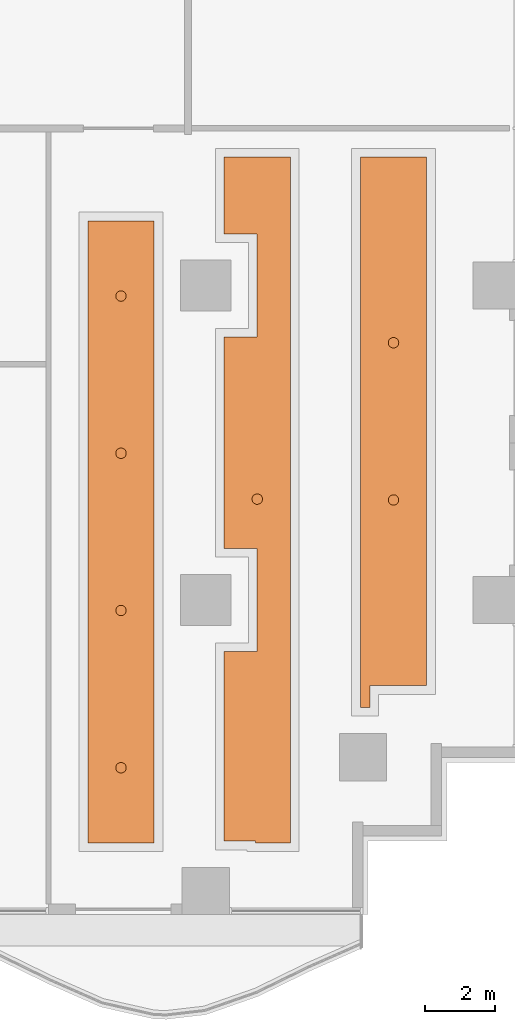
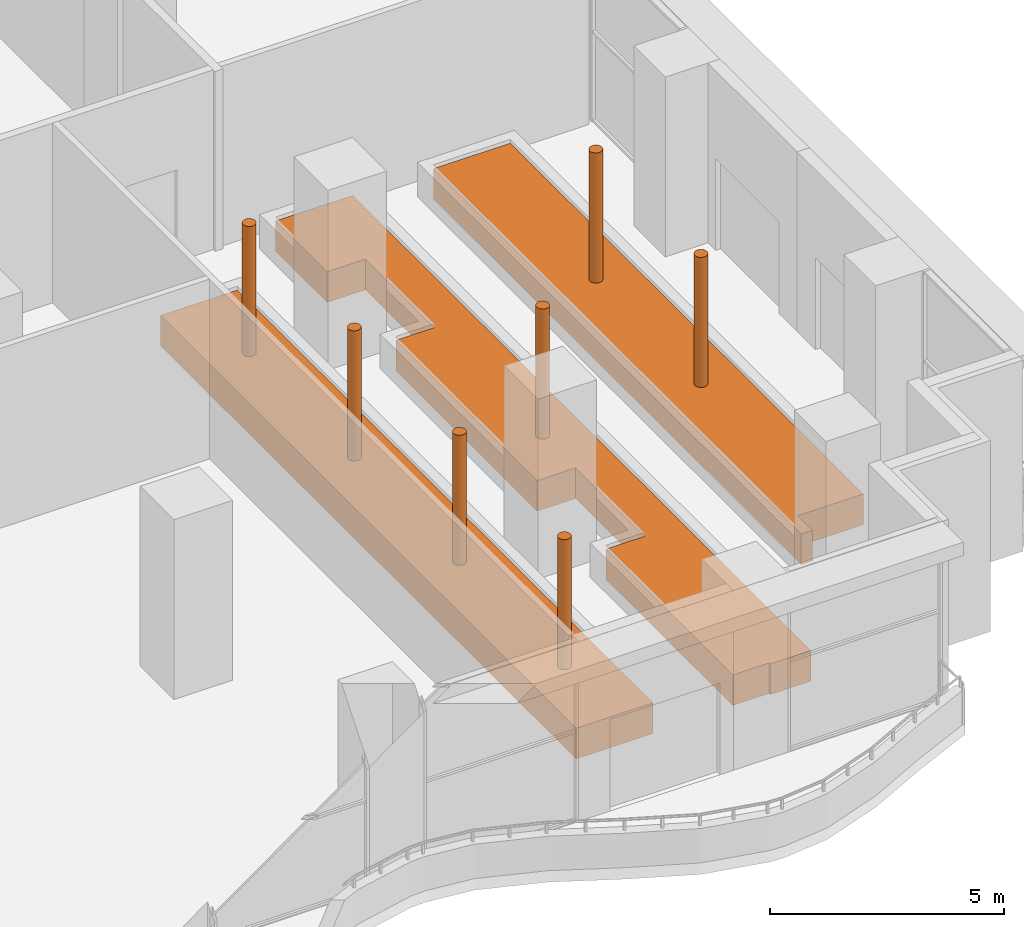
# One storey, part 18 of 18: 7 geographic elements, 3 proxies.
"""IFC4 building model written with IfcOpenShell, lengths in metres."""

import ifcopenshell
import ifcopenshell.guid

model = None  # the IFC model being written
_history = None  # IfcOwnerHistory: only IFC2X3 demands one
_inside = {}  # id of a spatial element -> (the spatial element, [elements in it])
_under = {}  # id of a project, library or spatial element -> (it, [spatial elements below it])
_declared = {}  # id of a project -> (the project, [libraries it declares])
_typed = {}  # id of a type object -> (the type object, [elements of that type])
_made_of = {}  # id of a material, layer set ... -> (it, [elements and type objects made of it])


def new_model(schema):
    """Start an empty IFC model of exactly this schema.

    Asked for "IFC4X3", IfcOpenShell would pick the latest addendum, in which some entities
    have other attributes; the version numbers below select the first issue.
    IFC2X3 requires an IfcOwnerHistory on every rooted entity: one is made here for all.
    """
    global model, _history
    if schema == "IFC4X3":
        model = ifcopenshell.file(schema_version=(4, 3, 0, 0))
    else:
        model = ifcopenshell.file(schema=schema)
    _inside.clear()
    _under.clear()
    _declared.clear()
    _typed.clear()
    _made_of.clear()
    _history = None
    if model.schema == "IFC2X3":
        org = make("IfcOrganization", Name="unknown")
        user = make(
            "IfcPersonAndOrganization",
            ThePerson=make("IfcPerson", FamilyName="unknown"),
            TheOrganization=org,
        )
        app = make(
            "IfcApplication",
            ApplicationDeveloper=org,
            Version="unknown",
            ApplicationFullName="unknown",
            ApplicationIdentifier="unknown",
        )
        _history = make(
            "IfcOwnerHistory",
            OwningUser=user,
            OwningApplication=app,
            ChangeAction="ADDED",
            CreationDate=0,
        )
    return model


def make(cls, **values):
    """One entity of the class cls with the attributes given. An attribute that is None is left unset."""
    return model.create_entity(
        cls, **{name: value for name, value in values.items() if value is not None}
    )


def rooted(cls, **values):
    """An entity with a GlobalId (a new one), such as an element, a storey or a relation."""
    return make(cls, GlobalId=ifcopenshell.guid.new(), OwnerHistory=_history, **values)


def si_unit(unit_type, name, prefix=None):
    """IfcSIUnit, for example si_unit("LENGTHUNIT", "METRE", prefix="MILLI")."""
    return make("IfcSIUnit", UnitType=unit_type, Prefix=prefix, Name=name)


def assignment(units):
    """IfcUnitAssignment: the units of a project."""
    return None if units is None else make("IfcUnitAssignment", Units=units)


def point(xyz):
    """IfcCartesianPoint."""
    return None if xyz is None else make("IfcCartesianPoint", Coordinates=xyz)


def direction(xyz):
    """IfcDirection."""
    return None if xyz is None else make("IfcDirection", DirectionRatios=xyz)


def frame(location, z_axis=None, x_axis=None):
    """IfcAxis2Placement3D, a coordinate frame: its origin and axes. An axis left out is left unset."""
    return make(
        "IfcAxis2Placement3D",
        Location=point(location),
        Axis=direction(z_axis),
        RefDirection=direction(x_axis),
    )


def frame_2d(location, x_axis=None):
    """IfcAxis2Placement2D, a coordinate frame in the plane: its origin and x axis."""
    return make(
        "IfcAxis2Placement2D", Location=point(location), RefDirection=direction(x_axis)
    )


def origin():
    """The frame at (0, 0, 0) with its axes left unset."""
    return frame((0.0, 0.0, 0.0))


def origin_2d():
    """The frame at (0, 0) in the plane with its x axis left unset."""
    return frame_2d((0.0, 0.0))


def place(relative_to, where):
    """IfcLocalPlacement: puts the frame where relative to a parent placement (None: the world)."""
    return make(
        "IfcLocalPlacement", PlacementRelTo=relative_to, RelativePlacement=where
    )


def context(
    kind, dimensions, precision=None, world=None, true_north=None, identifier=None
):
    """IfcGeometricRepresentationContext, for example the 3D "Model" context."""
    return make(
        "IfcGeometricRepresentationContext",
        ContextIdentifier=identifier,
        ContextType=kind,
        CoordinateSpaceDimension=dimensions,
        Precision=precision,
        WorldCoordinateSystem=world,
        TrueNorth=true_north,
    )


def subcontext(parent, identifier, kind, view, scale=None):
    """IfcGeometricRepresentationSubContext, for example "Body" below "Model"."""
    return make(
        "IfcGeometricRepresentationSubContext",
        ContextIdentifier=identifier,
        ContextType=kind,
        ParentContext=parent,
        TargetScale=scale,
        TargetView=view,
    )


def project(units=None, contexts=None):
    """IfcProject with its units and contexts."""
    return rooted(
        "IfcProject",
        Name="project",
        RepresentationContexts=contexts,
        UnitsInContext=assignment(units),
    )


def spatial(cls, under=None, at=None, **own):
    """A site, building, storey or space (cls), placed at a placement, below another one or the project."""
    s = rooted(cls, ObjectPlacement=at, **own)
    if under is not None:
        _under.setdefault(under.id(), (under, []))[1].append(s)
    return s


def polyline(points):
    """IfcPolyline through the points."""
    return make("IfcPolyline", Points=[point(p) for p in points])


def profile(cls, at=None, kind="AREA", **sizes):
    """A parametric profile (cls). Its sizes go by their IFC names, for example OverallWidth=200.0."""
    return make(cls, ProfileType=kind, Position=at, **sizes)


def circle(**sizes):
    """IfcCircleProfileDef."""
    return profile("IfcCircleProfileDef", **sizes)


def outline(outer, holes=None, kind="AREA"):
    """IfcArbitraryClosedProfileDef: a profile drawn as a closed curve; with holes, ...WithVoids."""
    if holes is None:
        return make("IfcArbitraryClosedProfileDef", ProfileType=kind, OuterCurve=outer)
    return make(
        "IfcArbitraryProfileDefWithVoids",
        ProfileType=kind,
        OuterCurve=outer,
        InnerCurves=holes,
    )


def extrude(swept, where, along, depth):
    """IfcExtrudedAreaSolid: the profile swept, set in the frame where, extruded along a direction by depth."""
    return make(
        "IfcExtrudedAreaSolid",
        SweptArea=swept,
        Position=where,
        ExtrudedDirection=direction(along),
        Depth=depth,
    )


def shape(context_of_items, identifier, shape_type, items):
    """IfcShapeRepresentation: the items that make up one representation, for example the "Body"."""
    return make(
        "IfcShapeRepresentation",
        ContextOfItems=context_of_items,
        RepresentationIdentifier=identifier,
        RepresentationType=shape_type,
        Items=items,
    )


def material(Name=None, Category=None):
    """IfcMaterial."""
    return make("IfcMaterial", Name=Name, Category=Category)


def made_of(thing, what):
    """Note that an element or type object is made of a material, layer set ...; save() writes the relation."""
    if what is not None:
        _made_of.setdefault(what.id(), (what, []))[1].append(thing)
    return thing


def type_object(cls, material=None, **own):
    """A type object (cls), such as IfcWallType, which elements share."""
    return made_of(rooted(cls, **own), material)


def element(
    cls,
    number,
    at=None,
    inside=None,
    cuts=None,
    type_object=None,
    material=None,
    context=None,
    identifier="Body",
    shape_type=None,
    held_by="IfcProductDefinitionShape",
    body=None,
    shapes=None,
    **own,
):
    """One element of the class cls, such as IfcWall. Its Tag is "e" and its number.

    at: its placement. inside: the storey or other place that contains it. cuts: it is an
    opening in that element (IfcRelVoidsElement). A single representation is given by context,
    identifier, shape_type and body (its items); several are given by shapes. held_by: the class
    of the entity that holds the representations. save() writes the other relations.
    """
    e = rooted(cls, Tag="e%d" % number, ObjectPlacement=at, **own)
    if body is not None:
        shapes = [shape(context, identifier, shape_type, body)]
    if shapes is not None:
        e.Representation = make(held_by, Representations=shapes)
    if inside is not None:
        _inside.setdefault(inside.id(), (inside, []))[1].append(e)
    if cuts is not None:
        rooted(
            "IfcRelVoidsElement", RelatingBuildingElement=cuts, RelatedOpeningElement=e
        )
    if type_object is not None:
        _typed.setdefault(type_object.id(), (type_object, []))[1].append(e)
    return made_of(e, material)


def aggregate(whole, parts):
    """IfcRelAggregates: a whole, such as a stair, and the parts it consists of."""
    return rooted("IfcRelAggregates", RelatingObject=whole, RelatedObjects=parts)


def save(model, path):
    """Write the relations noted so far, then the file.

    IfcRelAggregates (storeys below a building ...), IfcRelContainedInSpatialStructure (elements
    in a storey), IfcRelDefinesByType, IfcRelAssociatesMaterial and IfcRelDeclares: one each for
    every whole, place, type object, material and project.
    """
    for whole, parts in _under.values():
        aggregate(whole, parts)
    for where, things in _inside.values():
        rooted(
            "IfcRelContainedInSpatialStructure",
            RelatedElements=things,
            RelatingStructure=where,
        )
    for kind, things in _typed.values():
        rooted("IfcRelDefinesByType", RelatedObjects=things, RelatingType=kind)
    for what, things in _made_of.values():
        rooted("IfcRelAssociatesMaterial", RelatedObjects=things, RelatingMaterial=what)
    for by, libraries in _declared.values():
        rooted("IfcRelDeclares", RelatingContext=by, RelatedDefinitions=libraries)
    model.write(path)


model = new_model("IFC4")

# Units and contexts
model_context = context("Model", 3, precision=1e-05, world=origin(), true_north=direction((0.0, 1.0)))
body_context = subcontext(model_context, "Body", "Model", "MODEL_VIEW")
ifc_project = project(units=[si_unit("LENGTHUNIT", "METRE"), si_unit("AREAUNIT", "SQUARE_METRE"), si_unit("VOLUMEUNIT", "CUBIC_METRE"), si_unit("PLANEANGLEUNIT", "RADIAN"), si_unit("MASSUNIT", "GRAM", prefix="KILO")], contexts=[model_context])

# Site, building, storey
site_placement = place(None, origin())
site = spatial("IfcSite", under=ifc_project, at=site_placement, CompositionType="ELEMENT")
building_placement = place(site_placement, origin())
building = spatial("IfcBuilding", under=site, at=building_placement, Name="Orbiselva Terraces", CompositionType="ELEMENT")
storey_placement = place(building_placement, frame((0.0, 0.0, 64.4)))
storey = spatial("IfcBuildingStorey", under=building, at=storey_placement, Name="L16", CompositionType="ELEMENT", Elevation=64.4)

# Proxies
ifc_material_1 = material(Name="Planting soil")
building_element_proxy_type = type_object("IfcBuildingElementProxyType", Name="ENV-PLANTING-SOIL", PredefinedType="USERDEFINED", material=ifc_material_1)
proxy_1_placement = place(storey_placement, origin())
element("IfcBuildingElementProxy", 1, at=proxy_1_placement, inside=storey, type_object=building_element_proxy_type, Name="Planting soil L16 Planting bed 1", ObjectType="PLANTING SOIL", PredefinedType="USERDEFINED", context=body_context, shape_type="SweptSolid", body=[
    extrude(outline(polyline([(16.525, -20.45), (14.625, -20.45), (14.625, -2.65), (16.525, -2.65), (16.525, -20.45)])), origin(), (0.0, 0.0, 1.0), 0.8),
])
proxy_2_placement = place(storey_placement, origin())
element("IfcBuildingElementProxy", 2, at=proxy_2_placement, inside=storey, type_object=building_element_proxy_type, Name="Planting soil L16 Planting bed 2", ObjectType="PLANTING SOIL", PredefinedType="USERDEFINED", context=body_context, shape_type="SweptSolid", body=[
    extrude(outline(polyline([(19.425, -20.45), (19.425, -20.4), (18.525, -20.4), (18.525, -14.975), (19.475, -14.975), (19.475, -12.025), (18.525, -12.025), (18.525, -5.975), (19.475, -5.975), (19.475, -3.025), (18.525, -3.025), (18.525, -0.825), (20.425, -0.825), (20.425, -20.45), (19.425, -20.45)])), origin(), (0.0, 0.0, 1.0), 0.8),
])
proxy_3_placement = place(storey_placement, origin())
element("IfcBuildingElementProxy", 3, at=proxy_3_placement, inside=storey, type_object=building_element_proxy_type, Name="Planting soil L16 Planting bed 3", ObjectType="PLANTING SOIL", PredefinedType="USERDEFINED", context=body_context, shape_type="SweptSolid", body=[
    extrude(outline(polyline([(24.325, -15.95), (22.7, -15.95), (22.7, -16.575), (22.425, -16.575), (22.425, -0.825), (24.325, -0.825), (24.325, -15.95)])), origin(), (0.0, 0.0, 1.0), 0.8),
])

# Geographic elements
ifc_material_2 = material(Name="Planted tree")
geographic_element_type = type_object("IfcGeographicElementType", Name="ENV-TREE-300x3400", PredefinedType="USERDEFINED", material=ifc_material_2)
for number, where, z_axis, x_axis, name in (
    (4, (15.575, -18.3, 4.2), (0.0, 0.0, -1.0), (1.0, 0.0, 0.0), "Tree L16"),
    (5, (15.575, -13.8, 4.2), (0.0, 0.0, -1.0), (1.0, 0.0, 0.0), "Tree L16"),
    (6, (15.575, -9.3, 4.2), (0.0, 0.0, -1.0), (1.0, 0.0, 0.0), "Tree L16"),
    (7, (15.575, -4.8, 4.2), (0.0, 0.0, -1.0), (1.0, 0.0, 0.0), "Tree L16"),
    (8, (19.475, -10.612, 4.2), (0.0, 0.0, -1.0), (1.0, 0.0, 0.0), "Tree L16"),
    (9, (23.375, -10.637, 4.2), (0.0, 0.0, -1.0), (1.0, 0.0, 0.0), "Tree L16"),
    (10, (23.375, -6.137, 4.2), (0.0, 0.0, -1.0), (1.0, 0.0, 0.0), "Tree L16"),
):
    element("IfcGeographicElement", number, at=place(storey_placement, frame(where, z_axis=z_axis, x_axis=x_axis)), inside=storey, type_object=geographic_element_type, Name=name, ObjectType="TREE", PredefinedType="USERDEFINED", context=body_context, shape_type="SweptSolid", body=[
        extrude(circle(Radius=0.15, at=origin_2d()), origin(), (0.0, 0.0, 1.0), 3.4),
    ])

save(model, "model.ifc")
